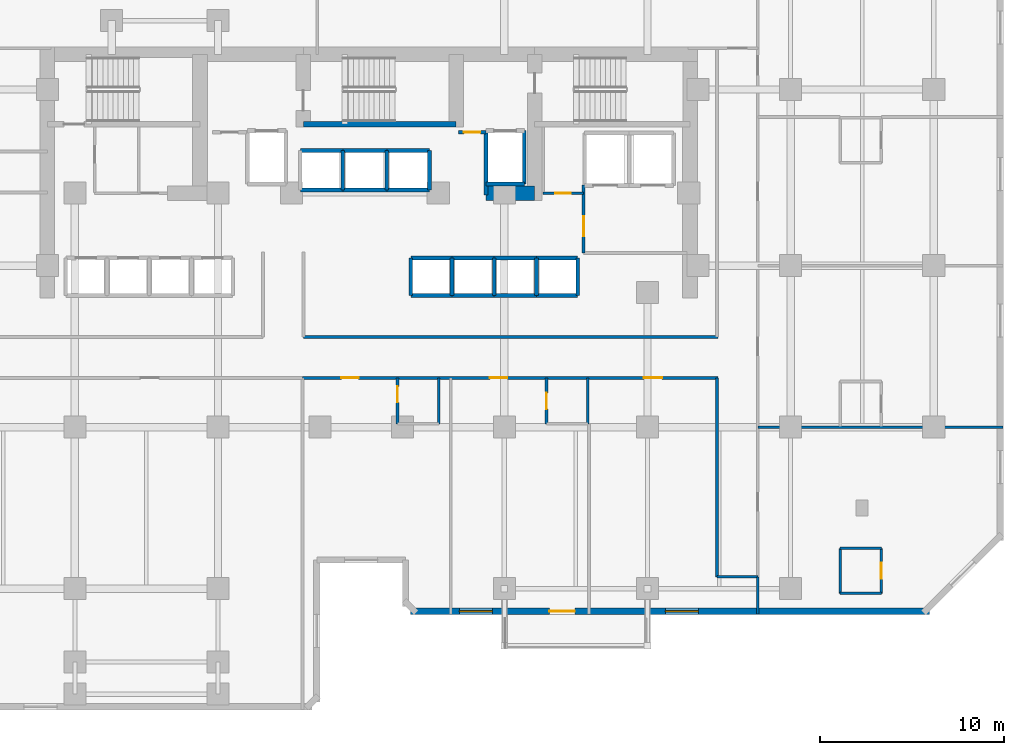
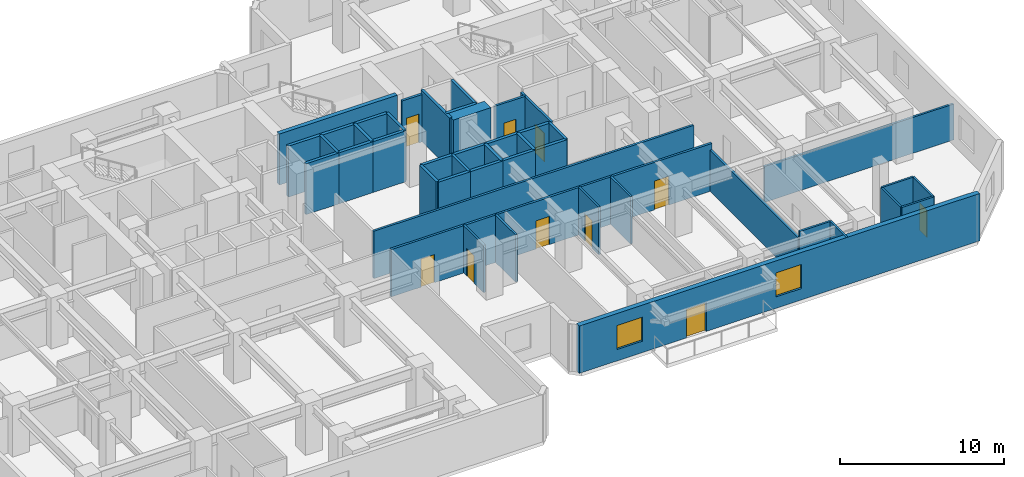
# One storey, part 7 of 11: 45 walls, 10 doors, 2 windows, 12 openings.
"""IFC4 building model written with IfcOpenShell, lengths in metres."""

from ifc_helpers import new_model, si_unit, direction, frame, frame_2d, origin, place, context, subcontext, project, spatial, rectangle, extrude, material, layer, layer_set, type_object, element, fill, save


model = new_model("IFC4")

# Units and contexts
model_context = context("Model", 3, precision=1e-05, world=origin(), true_north=direction((0.0, 1.0)))
body_context = subcontext(model_context, "Body", "Model", "MODEL_VIEW")
ifc_project = project(units=[si_unit("LENGTHUNIT", "METRE"), si_unit("AREAUNIT", "SQUARE_METRE"), si_unit("VOLUMEUNIT", "CUBIC_METRE"), si_unit("PLANEANGLEUNIT", "RADIAN"), si_unit("MASSUNIT", "GRAM", prefix="KILO")], contexts=[model_context])

# Site, building, storey
site_placement = place(None, origin())
site = spatial("IfcSite", under=ifc_project, at=site_placement, CompositionType="ELEMENT")
building_placement = place(site_placement, origin())
building = spatial("IfcBuilding", under=site, at=building_placement, Name="Kestravale Grand Hotel", CompositionType="ELEMENT")
storey_placement = place(building_placement, frame((0.0, 0.0, 84.199951171875)))
storey = spatial("IfcBuildingStorey", under=building, at=storey_placement, Name="L20", CompositionType="ELEMENT", Elevation=84.199951171875)

# Wall
ifc_material_1 = material(Name="Concrete f'c 60 MPa", Category="concrete")
ifc_layer_1 = layer(ifc_material_1, 0.800048828125)
ifc_layer_set_1 = layer_set([ifc_layer_1], Name="EW-CORE-800")
wall_type_1 = type_object("IfcWallType", Name="EW-CORE-800", PredefinedType="SHEAR", material=ifc_layer_set_1)
wall_1_placement = place(storey_placement, frame((45.81005859375, 32.75, 0.0), z_axis=(0.0, 0.0, 1.0), x_axis=(1.0, 0.0, 0.0)))
element("IfcWall", 1, at=wall_1_placement, inside=storey, type_object=wall_type_1, Name="L20 core shear wall S2", PredefinedType="SHEAR", context=body_context, shape_type="SweptSolid", body=[
    extrude(rectangle(XDim=2.639892578125, YDim=0.800048828125, at=frame_2d((1.31982421875, 0.0))), origin(), (0.0, 0.0, 1.0), 3.800048828125),
])

# Wall, openings, door, windows
ifc_material_2 = material(Name="Precast concrete f'c 45 MPa", Category="concrete")
ifc_layer_2 = layer(ifc_material_2, 0.340087890625)
ifc_layer_set_2 = layer_set([ifc_layer_2], Name="EW-PREC-340")
wall_type_2 = type_object("IfcWallType", Name="EW-PREC-340", PredefinedType="SOLIDWALL", material=ifc_layer_set_2)
wall_2_placement = place(storey_placement, frame((41.679931640625, 9.969970703125, 0.0), z_axis=(0.0, 0.0, 1.0), x_axis=(1.0, 0.0, 0.0)))
wall_2 = element("IfcWall", 2, at=wall_2_placement, inside=storey, type_object=wall_type_2, Name="L20 fluted precast facade wall 7", PredefinedType="SOLIDWALL", context=body_context, shape_type="SweptSolid", body=[
    extrude(rectangle(XDim=28.2900390625, YDim=0.340087890625, at=frame_2d((14.14501953125, 0.0))), origin(), (0.0, 0.0, 1.0), 3.5400390625),
])
opening_1_placement = place(wall_2_placement, frame((7.570068359375, 0.0, 0.0)))
opening_1 = element("IfcOpeningElement", 3, at=opening_1_placement, cuts=wall_2, Name="Opening D-TERR-1400", PredefinedType="OPENING", context=body_context, shape_type="SweptSolid", body=[
    extrude(rectangle(XDim=1.39990234375, YDim=2.14990234375, at=frame_2d((0.699951171875, 1.074951171875))), frame((0.0, 0.179931640625, 0.0), z_axis=(0.0, -1.0, 0.0), x_axis=(1.0, 0.0, 0.0)), (0.0, 0.0, 1.0), 0.360107421875),
])
opening_2_placement = place(wall_2_placement, frame((2.6650390625, 0.0, 0.85009765625)))
opening_2 = element("IfcOpeningElement", 4, at=opening_2_placement, cuts=wall_2, Name="Opening W-GUEST-1800", PredefinedType="OPENING", context=body_context, shape_type="SweptSolid", body=[
    extrude(rectangle(XDim=1.800048828125, YDim=1.800048828125, at=frame_2d((0.89990234375, 0.89990234375))), frame((0.0, 0.179931640625, 0.0), z_axis=(0.0, -1.0, 0.0), x_axis=(1.0, 0.0, 0.0)), (0.0, 0.0, 1.0), 0.360107421875),
])
opening_3_placement = place(wall_2_placement, frame((13.89501953125, 0.0, 0.85009765625)))
opening_3 = element("IfcOpeningElement", 5, at=opening_3_placement, cuts=wall_2, Name="Opening W-GUEST-1800", PredefinedType="OPENING", context=body_context, shape_type="SweptSolid", body=[
    extrude(rectangle(XDim=1.800048828125, YDim=1.800048828125, at=frame_2d((0.89990234375, 0.89990234375))), frame((0.0, 0.179931640625, 0.0), z_axis=(0.0, -1.0, 0.0), x_axis=(1.0, 0.0, 0.0)), (0.0, 0.0, 1.0), 0.360107421875),
])
ifc_material_3 = material(Name="Insulated glazed champagne-bronze aluminium door", Category="aluminium")
door_type_1 = type_object("IfcDoorType", Name="D-TERR-1400", OperationType="NOTDEFINED", PredefinedType="DOOR", material=ifc_material_3)
door_1_placement = place(opening_1_placement, origin())
door_1 = element("IfcDoor", 6, at=door_1_placement, inside=storey, type_object=door_type_1, Name="L20 outdoor garden terrace door", OperationType="DOUBLE_DOOR_SINGLE_SWING", OverallHeight=2.14990234375, OverallWidth=1.39990234375, PredefinedType="DOOR", context=body_context, shape_type="SweptSolid", body=[
    extrude(rectangle(XDim=1.39990234375, YDim=2.14990234375, at=frame_2d((0.699951171875, 1.074951171875))), frame((0.0, 0.02490234375, 0.0), z_axis=(0.0, -1.0, 0.0), x_axis=(1.0, 0.0, 0.0)), (0.0, 0.0, 1.0), 0.050048828125),
])
fill(opening_1, door_1)
ifc_material_4 = material(Name="Insulated low-E double glazing in aluminium frame", Category="aluminium")
window_type = type_object("IfcWindowType", Name="W-GUEST-1800", PartitioningType="DOUBLE_PANEL_VERTICAL", PredefinedType="WINDOW", material=ifc_material_4)
window_1_placement = place(opening_2_placement, origin())
window_1 = element("IfcWindow", 7, at=window_1_placement, inside=storey, type_object=window_type, Name="L20 exterior window 7.1", OverallHeight=1.800048828125, OverallWidth=1.800048828125, PartitioningType="SINGLE_PANEL", PredefinedType="WINDOW", context=body_context, shape_type="SweptSolid", body=[
    extrude(rectangle(XDim=1.800048828125, YDim=1.800048828125, at=frame_2d((0.89990234375, 0.89990234375))), frame((0.0, 0.030029296875, 0.0), z_axis=(0.0, -1.0, 0.0), x_axis=(1.0, 0.0, 0.0)), (0.0, 0.0, 1.0), 0.06005859375),
])
fill(opening_2, window_1)
window_2_placement = place(opening_3_placement, origin())
window_2 = element("IfcWindow", 8, at=window_2_placement, inside=storey, type_object=window_type, Name="L20 exterior window 7.2", OverallHeight=1.800048828125, OverallWidth=1.800048828125, PartitioningType="SINGLE_PANEL", PredefinedType="WINDOW", context=body_context, shape_type="SweptSolid", body=[
    extrude(rectangle(XDim=1.800048828125, YDim=1.800048828125, at=frame_2d((0.89990234375, 0.89990234375))), frame((0.0, 0.030029296875, 0.0), z_axis=(0.0, -1.0, 0.0), x_axis=(1.0, 0.0, 0.0)), (0.0, 0.0, 1.0), 0.06005859375),
])
fill(opening_3, window_2)

# Wall
ifc_material_5 = material(Name="Concrete f'c 45 MPa", Category="concrete")
ifc_layer_3 = layer(ifc_material_5, 0.300048828125)
ifc_layer_set_3 = layer_set([ifc_layer_3], Name="EW-STAIR-300")
wall_type_3 = type_object("IfcWallType", Name="EW-STAIR-300", PredefinedType="SHEAR", material=ifc_layer_set_3)
wall_3_placement = place(storey_placement, frame((35.85009765625, 36.52001953125, 0.0), z_axis=(0.0, 0.0, 1.0), x_axis=(1.0, 0.0, 0.0)))
element("IfcWall", 9, at=wall_3_placement, inside=storey, type_object=wall_type_3, Name="L20 stair enclosure shear wall SST2", PredefinedType="SHEAR", context=body_context, shape_type="SweptSolid", body=[
    extrude(rectangle(XDim=8.329833984375, YDim=0.300048828125, at=frame_2d((4.1650390625, 0.0))), origin(), (0.0, 0.0, 1.0), 3.800048828125),
])

# Wall, opening, door
ifc_material_6 = material(Name="Acoustic fire-rated gypsum board partition", Category="other")
ifc_layer_4 = layer(ifc_material_6, 0.159912109375)
ifc_layer_set_4 = layer_set([ifc_layer_4], Name="IW-CORR-160")
wall_type_4 = type_object("IfcWallType", Name="IW-CORR-160", PredefinedType="PARTITIONING", material=ifc_layer_set_4)
wall_4_placement = place(storey_placement, frame((51.1201171875, 29.5, 0.0), z_axis=(0.0, 0.0, 1.0), x_axis=(0.0, 1.0, 0.0)))
wall_4 = element("IfcWall", 10, at=wall_4_placement, inside=storey, type_object=wall_type_4, Name="W-L20-SVCLOB-W", PredefinedType="PARTITIONING", context=body_context, shape_type="SweptSolid", body=[
    extrude(rectangle(XDim=3.699951171875, YDim=0.159912109375, at=frame_2d((1.85009765625, 0.0))), origin(), (0.0, 0.0, 1.0), 3.5400390625),
])
opening_4_placement = place(wall_4_placement, frame((0.89990234375, 0.0, 0.0)))
opening_4 = element("IfcOpeningElement", 11, at=opening_4_placement, cuts=wall_4, Name="Opening D-CORR-1100", PredefinedType="OPENING", context=body_context, shape_type="SweptSolid", body=[
    extrude(rectangle(XDim=1.10009765625, YDim=2.14990234375, at=frame_2d((0.550048828125, 1.074951171875))), frame((0.0, 0.08984375, 0.0), z_axis=(0.0, -1.0, 0.0), x_axis=(1.0, 0.0, 0.0)), (0.0, 0.0, 1.0), 0.179931640625),
])
ifc_material_7 = material(Name="Single-leaf service vestibule fire door", Category="steel")
door_type_2 = type_object("IfcDoorType", Name="D-CORR-1100", OperationType="NOTDEFINED", PredefinedType="DOOR", material=ifc_material_7)
door_2_placement = place(opening_4_placement, origin())
door_2 = element("IfcDoor", 12, at=door_2_placement, inside=storey, type_object=door_type_2, Name="L20 service lift lobby door", OperationType="SINGLE_SWING_LEFT", OverallHeight=2.14990234375, OverallWidth=1.10009765625, PredefinedType="DOOR", context=body_context, shape_type="SweptSolid", body=[
    extrude(rectangle(XDim=1.10009765625, YDim=2.14990234375, at=frame_2d((0.550048828125, 1.074951171875))), frame((0.0, 0.02490234375, 0.0), z_axis=(0.0, -1.0, 0.0), x_axis=(1.0, 0.0, 0.0)), (0.0, 0.0, 1.0), 0.050048828125),
])
fill(opening_4, door_2)

wall_5_placement = place(storey_placement, frame((48.919921875, 32.75, 0.0), z_axis=(0.0, 0.0, 1.0), x_axis=(1.0, 0.0, 0.0)))
wall_5 = element("IfcWall", 13, at=wall_5_placement, inside=storey, type_object=wall_type_4, Name="W-L20-CES", PredefinedType="PARTITIONING", context=body_context, shape_type="SweptSolid", body=[
    extrude(rectangle(XDim=2.2001953125, YDim=0.159912109375, at=frame_2d((1.10009765625, 0.0))), origin(), (0.0, 0.0, 1.0), 3.5400390625),
])
opening_5_placement = place(wall_5_placement, frame((0.64990234375, 0.0, 0.0)))
opening_5 = element("IfcOpeningElement", 14, at=opening_5_placement, cuts=wall_5, Name="Opening D-SH-860", PredefinedType="OPENING", context=body_context, shape_type="SweptSolid", body=[
    extrude(rectangle(XDim=0.860107421875, YDim=2.050048828125, at=frame_2d((0.43017578125, 1.02490234375))), frame((0.0, 0.08984375, 0.0), z_axis=(0.0, -1.0, 0.0), x_axis=(1.0, 0.0, 0.0)), (0.0, 0.0, 1.0), 0.179931640625),
])
ifc_material_8 = material(Name="Galvanised 90-minute riser fire door", Category="steel")
door_type_3 = type_object("IfcDoorType", Name="D-SH-860", OperationType="NOTDEFINED", PredefinedType="DOOR", material=ifc_material_8)
door_3_placement = place(opening_5_placement, origin())
door_3 = element("IfcDoor", 15, at=door_3_placement, inside=storey, type_object=door_type_3, Name="L20 CSTO1 door", OperationType="SINGLE_SWING_RIGHT", OverallHeight=2.050048828125, OverallWidth=0.860107421875, PredefinedType="DOOR", context=body_context, shape_type="SweptSolid", body=[
    extrude(rectangle(XDim=0.860107421875, YDim=2.050048828125, at=frame_2d((0.43017578125, 1.02490234375))), frame((0.0, 0.02490234375, 0.0), z_axis=(0.0, -1.0, 0.0), x_axis=(1.0, 0.0, 0.0)), (0.0, 0.0, 1.0), 0.050048828125),
])
fill(opening_5, door_3)

# Wall
wall_6_placement = place(storey_placement, frame((35.85009765625, 24.909912109375, 0.0), z_axis=(0.0, 0.0, 1.0), x_axis=(1.0, 0.0, 0.0)))
element("IfcWall", 16, at=wall_6_placement, inside=storey, type_object=wall_type_4, Name="W-L20-CE-N", PredefinedType="PARTITIONING", context=body_context, shape_type="SweptSolid", body=[
    extrude(rectangle(XDim=22.599853515625, YDim=0.159912109375, at=frame_2d((11.2998046875, 0.0))), origin(), (0.0, 0.0, 1.0), 3.5400390625),
])

# Wall, openings, doors
wall_7_placement = place(storey_placement, frame((35.800048828125, 22.68994140625, 0.0), z_axis=(0.0, 0.0, 1.0), x_axis=(1.0, 0.0, 0.0)))
wall_7 = element("IfcWall", 17, at=wall_7_placement, inside=storey, type_object=wall_type_4, Name="W-L20-CE-S", PredefinedType="PARTITIONING", context=body_context, shape_type="SweptSolid", body=[
    extrude(rectangle(XDim=22.64990234375, YDim=0.159912109375, at=frame_2d((11.324951171875, 0.0))), origin(), (0.0, 0.0, 1.0), 3.5400390625),
])
opening_6_placement = place(wall_7_placement, frame((2.114990234375, 0.0, 0.0)))
opening_6 = element("IfcOpeningElement", 18, at=opening_6_placement, cuts=wall_7, Name="Opening D-GUEST-950", PredefinedType="OPENING", context=body_context, shape_type="SweptSolid", body=[
    extrude(rectangle(XDim=0.949951171875, YDim=2.10009765625, at=frame_2d((0.47509765625, 1.050048828125))), frame((0.0, 0.08984375, 0.0), z_axis=(0.0, -1.0, 0.0), x_axis=(1.0, 0.0, 0.0)), (0.0, 0.0, 1.0), 0.179931640625),
])
opening_7_placement = place(wall_7_placement, frame((10.215087890625, 0.0, 0.0)))
opening_7 = element("IfcOpeningElement", 19, at=opening_7_placement, cuts=wall_7, Name="Opening D-GUEST-950", PredefinedType="OPENING", context=body_context, shape_type="SweptSolid", body=[
    extrude(rectangle(XDim=0.949951171875, YDim=2.10009765625, at=frame_2d((0.47509765625, 1.050048828125))), frame((0.0, 0.08984375, 0.0), z_axis=(0.0, -1.0, 0.0), x_axis=(1.0, 0.0, 0.0)), (0.0, 0.0, 1.0), 0.179931640625),
])
opening_8_placement = place(wall_7_placement, frame((18.60009765625, 0.0, 0.0)))
opening_8 = element("IfcOpeningElement", 20, at=opening_8_placement, cuts=wall_7, Name="Opening D-GUEST-1000", PredefinedType="OPENING", context=body_context, shape_type="SweptSolid", body=[
    extrude(rectangle(XDim=1.0, YDim=2.14990234375, at=frame_2d((0.5, 1.074951171875))), frame((0.0, 0.08984375, 0.0), z_axis=(0.0, -1.0, 0.0), x_axis=(1.0, 0.0, 0.0)), (0.0, 0.0, 1.0), 0.179931640625),
])
ifc_material_9 = material(Name="Accessible walnut veneer hotel entrance fire door", Category="wood")
door_type_4 = type_object("IfcDoorType", Name="D-GUEST-1000", OperationType="NOTDEFINED", PredefinedType="DOOR", material=ifc_material_9)
door_4_placement = place(opening_8_placement, origin())
door_4 = element("IfcDoor", 21, at=door_4_placement, inside=storey, type_object=door_type_4, Name="D-L20-AME", OperationType="SINGLE_SWING_RIGHT", OverallHeight=2.14990234375, OverallWidth=1.0, PredefinedType="DOOR", context=body_context, shape_type="SweptSolid", body=[
    extrude(rectangle(XDim=1.0, YDim=2.14990234375, at=frame_2d((0.5, 1.074951171875))), frame((0.0, 0.02490234375, 0.0), z_axis=(0.0, -1.0, 0.0), x_axis=(1.0, 0.0, 0.0)), (0.0, 0.0, 1.0), 0.050048828125),
])
fill(opening_8, door_4)
ifc_material_10 = material(Name="Walnut veneer hotel guestroom entrance fire door", Category="wood")
door_type_5 = type_object("IfcDoorType", Name="D-GUEST-950", OperationType="NOTDEFINED", PredefinedType="DOOR", material=ifc_material_10)
door_5_placement = place(opening_6_placement, origin())
door_5 = element("IfcDoor", 22, at=door_5_placement, inside=storey, type_object=door_type_5, Name="D-L20-U01-ENT", OperationType="SINGLE_SWING_LEFT", OverallHeight=2.10009765625, OverallWidth=0.949951171875, PredefinedType="DOOR", context=body_context, shape_type="SweptSolid", body=[
    extrude(rectangle(XDim=0.949951171875, YDim=2.10009765625, at=frame_2d((0.47509765625, 1.050048828125))), frame((0.0, 0.02490234375, 0.0), z_axis=(0.0, -1.0, 0.0), x_axis=(1.0, 0.0, 0.0)), (0.0, 0.0, 1.0), 0.050048828125),
])
fill(opening_6, door_5)
door_6_placement = place(opening_7_placement, origin())
door_6 = element("IfcDoor", 23, at=door_6_placement, inside=storey, type_object=door_type_5, Name="D-L20-U02-ENT", OperationType="SINGLE_SWING_LEFT", OverallHeight=2.10009765625, OverallWidth=0.949951171875, PredefinedType="DOOR", context=body_context, shape_type="SweptSolid", body=[
    extrude(rectangle(XDim=0.949951171875, YDim=2.10009765625, at=frame_2d((0.47509765625, 1.050048828125))), frame((0.0, 0.02490234375, 0.0), z_axis=(0.0, -1.0, 0.0), x_axis=(1.0, 0.0, 0.0)), (0.0, 0.0, 1.0), 0.050048828125),
])
fill(opening_7, door_6)

# Wall
wall_8_placement = place(storey_placement, frame((58.389892578125, 11.85009765625, 0.0), z_axis=(0.0, 0.0, 1.0), x_axis=(0.0, 1.0, 0.0)))
element("IfcWall", 24, at=wall_8_placement, inside=storey, type_object=wall_type_4, Name="W-L20-SE-W", PredefinedType="PARTITIONING", context=body_context, shape_type="SweptSolid", body=[
    extrude(rectangle(XDim=10.83984375, YDim=0.159912109375, at=frame_2d((5.419921875, 0.0))), origin(), (0.0, 0.0, 1.0), 3.0830078125),
])

# Wall, opening, door
ifc_material_11 = material(Name="Fire-rated gypsum board on steel studs with mineral wool", Category="steel")
ifc_layer_5 = layer(ifc_material_11, 0.179931640625)
ifc_layer_set_5 = layer_set([ifc_layer_5], Name="IW-FSAE-180")
wall_type_5 = type_object("IfcWallType", Name="IW-FSAE-180", PredefinedType="PARTITIONING", material=ifc_layer_set_5)
wall_9_placement = place(storey_placement, frame((44.300048828125, 36.080078125, 0.0), z_axis=(0.0, 0.0, 1.0), x_axis=(1.0, 0.0, 0.0)))
wall_9 = element("IfcWall", 25, at=wall_9_placement, inside=storey, type_object=wall_type_5, Name="L20 FSAE Lobby 2 smoke barrier", PredefinedType="PARTITIONING", context=body_context, shape_type="SweptSolid", body=[
    extrude(rectangle(XDim=1.5, YDim=0.179931640625, at=frame_2d((0.75, 0.0))), origin(), (0.0, 0.0, 1.0), 3.5400390625),
])
opening_9_placement = place(wall_9_placement, frame((0.300048828125, 0.0, 0.0)))
opening_9 = element("IfcOpeningElement", 26, at=opening_9_placement, cuts=wall_9, Name="Opening D-FSAE-1000", PredefinedType="OPENING", context=body_context, shape_type="SweptSolid", body=[
    extrude(rectangle(XDim=0.89990234375, YDim=2.14990234375, at=frame_2d((0.449951171875, 1.074951171875))), frame((0.0, 0.099853515625, 0.0), z_axis=(0.0, -1.0, 0.0), x_axis=(1.0, 0.0, 0.0)), (0.0, 0.0, 1.0), 0.199951171875),
])
ifc_material_12 = material(Name="Smoke-gasketed FSAE lobby fire door", Category="steel")
door_type_6 = type_object("IfcDoorType", Name="D-FSAE-1000", OperationType="NOTDEFINED", PredefinedType="DOOR", material=ifc_material_12)
door_7_placement = place(opening_9_placement, origin())
door_7 = element("IfcDoor", 27, at=door_7_placement, inside=storey, type_object=door_type_6, Name="L20 FSAE Lobby 2 fire door", OperationType="SINGLE_SWING_LEFT", OverallHeight=2.14990234375, OverallWidth=0.89990234375, PredefinedType="DOOR", context=body_context, shape_type="SweptSolid", body=[
    extrude(rectangle(XDim=0.89990234375, YDim=2.14990234375, at=frame_2d((0.449951171875, 1.074951171875))), frame((0.0, 0.02490234375, 0.0), z_axis=(0.0, -1.0, 0.0), x_axis=(1.0, 0.0, 0.0)), (0.0, 0.0, 1.0), 0.050048828125),
])
fill(opening_9, door_7)

ifc_material_13 = material(Name="Moisture-resistant tile-backer plumbing chase wall", Category="other")
ifc_layer_6 = layer(ifc_material_13, 0.139892578125)
ifc_layer_set_6 = layer_set([ifc_layer_6], Name="IW-PLB-140")
wall_type_6 = type_object("IfcWallType", Name="IW-PLB-140", PredefinedType="PLUMBINGWALL", material=ifc_layer_set_6)
wall_10_placement = place(storey_placement, frame((40.97998046875, 20.179931640625, 0.0), z_axis=(0.0, 0.0, 1.0), x_axis=(0.0, 1.0, 0.0)))
wall_10 = element("IfcWall", 28, at=wall_10_placement, inside=storey, type_object=wall_type_6, Name="W-L20-U01-BW", PredefinedType="PLUMBINGWALL", context=body_context, shape_type="SweptSolid", body=[
    extrude(rectangle(XDim=2.489990234375, YDim=0.139892578125, at=frame_2d((1.2451171875, 0.0))), origin(), (0.0, 0.0, 1.0), 3.5400390625),
])
opening_10_placement = place(wall_10_placement, frame((1.169921875, 0.0, 0.0)))
opening_10 = element("IfcOpeningElement", 29, at=opening_10_placement, cuts=wall_10, Name="Opening D-BATH-880", PredefinedType="OPENING", context=body_context, shape_type="SweptSolid", body=[
    extrude(rectangle(XDim=0.8798828125, YDim=2.050048828125, at=frame_2d((0.43994140625, 1.02490234375))), frame((0.0, 0.079833984375, 0.0), z_axis=(0.0, -1.0, 0.0), x_axis=(1.0, 0.0, 0.0)), (0.0, 0.0, 1.0), 0.159912109375),
])
ifc_material_14 = material(Name="Moisture-sealed walnut en-suite bathroom door", Category="wood")
door_type_7 = type_object("IfcDoorType", Name="D-BATH-880", OperationType="NOTDEFINED", PredefinedType="DOOR", material=ifc_material_14)
door_8_placement = place(opening_10_placement, origin())
door_8 = element("IfcDoor", 30, at=door_8_placement, inside=storey, type_object=door_type_7, Name="D-L20-U01-BATH", OperationType="SINGLE_SWING_RIGHT", OverallHeight=2.050048828125, OverallWidth=0.8798828125, PredefinedType="DOOR", context=body_context, shape_type="SweptSolid", body=[
    extrude(rectangle(XDim=0.8798828125, YDim=2.050048828125, at=frame_2d((0.43994140625, 1.02490234375))), frame((0.0, 0.02490234375, 0.0), z_axis=(0.0, -1.0, 0.0), x_axis=(1.0, 0.0, 0.0)), (0.0, 0.0, 1.0), 0.050048828125),
])
fill(opening_10, door_8)

# Wall
wall_11_placement = place(storey_placement, frame((43.22998046875, 20.179931640625, 0.0), z_axis=(0.0, 0.0, 1.0), x_axis=(0.0, 1.0, 0.0)))
element("IfcWall", 31, at=wall_11_placement, inside=storey, type_object=wall_type_6, Name="W-L20-U01-BE", PredefinedType="PLUMBINGWALL", context=body_context, shape_type="SweptSolid", body=[
    extrude(rectangle(XDim=2.489990234375, YDim=0.139892578125, at=frame_2d((1.2451171875, 0.0))), origin(), (0.0, 0.0, 1.0), 3.5400390625),
])

# Wall, opening, door
wall_12_placement = place(storey_placement, frame((49.10009765625, 20.179931640625, 0.0), z_axis=(0.0, 0.0, 1.0), x_axis=(0.0, 1.0, 0.0)))
wall_12 = element("IfcWall", 32, at=wall_12_placement, inside=storey, type_object=wall_type_6, Name="W-L20-U02-BW", PredefinedType="PLUMBINGWALL", context=body_context, shape_type="SweptSolid", body=[
    extrude(rectangle(XDim=2.489990234375, YDim=0.139892578125, at=frame_2d((1.2451171875, 0.0))), origin(), (0.0, 0.0, 1.0), 3.5400390625),
])
opening_11_placement = place(wall_12_placement, frame((0.804931640625, 0.0, 0.0)))
opening_11 = element("IfcOpeningElement", 33, at=opening_11_placement, cuts=wall_12, Name="Opening D-BATH-880", PredefinedType="OPENING", context=body_context, shape_type="SweptSolid", body=[
    extrude(rectangle(XDim=0.8798828125, YDim=2.050048828125, at=frame_2d((0.43994140625, 1.02490234375))), frame((0.0, 0.079833984375, 0.0), z_axis=(0.0, -1.0, 0.0), x_axis=(1.0, 0.0, 0.0)), (0.0, 0.0, 1.0), 0.159912109375),
])
door_9_placement = place(opening_11_placement, origin())
door_9 = element("IfcDoor", 34, at=door_9_placement, inside=storey, type_object=door_type_7, Name="D-L20-U02-BATH", OperationType="SINGLE_SWING_RIGHT", OverallHeight=2.050048828125, OverallWidth=0.8798828125, PredefinedType="DOOR", context=body_context, shape_type="SweptSolid", body=[
    extrude(rectangle(XDim=0.8798828125, YDim=2.050048828125, at=frame_2d((0.43994140625, 1.02490234375))), frame((0.0, 0.02490234375, 0.0), z_axis=(0.0, -1.0, 0.0), x_axis=(1.0, 0.0, 0.0)), (0.0, 0.0, 1.0), 0.050048828125),
])
fill(opening_11, door_9)

# Walls
wall_13_placement = place(storey_placement, frame((51.35009765625, 20.179931640625, 0.0), z_axis=(0.0, 0.0, 1.0), x_axis=(0.0, 1.0, 0.0)))
element("IfcWall", 35, at=wall_13_placement, inside=storey, type_object=wall_type_6, Name="W-L20-U02-BE", PredefinedType="PLUMBINGWALL", context=body_context, shape_type="SweptSolid", body=[
    extrude(rectangle(XDim=2.489990234375, YDim=0.139892578125, at=frame_2d((1.2451171875, 0.0))), origin(), (0.0, 0.0, 1.0), 3.5400390625),
])
wall_14_placement = place(storey_placement, frame((65.10009765625, 10.949951171875, 0.0), z_axis=(0.0, 0.0, 1.0), x_axis=(0.0, 1.0, 0.0)))
element("IfcWall", 36, at=wall_14_placement, inside=storey, type_object=wall_type_6, Name="W-L20-U07-BW", PredefinedType="PLUMBINGWALL", context=body_context, shape_type="SweptSolid", body=[
    extrude(rectangle(XDim=2.449951171875, YDim=0.139892578125, at=frame_2d((1.22509765625, 0.0))), origin(), (0.0, 0.0, 1.0), 3.5400390625),
])

# Wall, opening, door
wall_15_placement = place(storey_placement, frame((67.35009765625, 10.949951171875, 0.0), z_axis=(0.0, 0.0, 1.0), x_axis=(0.0, 1.0, 0.0)))
wall_15 = element("IfcWall", 37, at=wall_15_placement, inside=storey, type_object=wall_type_6, Name="W-L20-U07-BE", PredefinedType="PLUMBINGWALL", context=body_context, shape_type="SweptSolid", body=[
    extrude(rectangle(XDim=2.449951171875, YDim=0.139892578125, at=frame_2d((1.22509765625, 0.0))), origin(), (0.0, 0.0, 1.0), 3.5400390625),
])
opening_12_placement = place(wall_15_placement, frame((0.784912109375, 0.0, 0.0)))
opening_12 = element("IfcOpeningElement", 38, at=opening_12_placement, cuts=wall_15, Name="Opening D-BATH-880", PredefinedType="OPENING", context=body_context, shape_type="SweptSolid", body=[
    extrude(rectangle(XDim=0.8798828125, YDim=2.050048828125, at=frame_2d((0.43994140625, 1.02490234375))), frame((0.0, 0.079833984375, 0.0), z_axis=(0.0, -1.0, 0.0), x_axis=(1.0, 0.0, 0.0)), (0.0, 0.0, 1.0), 0.159912109375),
])
door_10_placement = place(opening_12_placement, origin())
door_10 = element("IfcDoor", 39, at=door_10_placement, inside=storey, type_object=door_type_7, Name="D-L20-U07-BATH", OperationType="SINGLE_SWING_RIGHT", OverallHeight=2.050048828125, OverallWidth=0.8798828125, PredefinedType="DOOR", context=body_context, shape_type="SweptSolid", body=[
    extrude(rectangle(XDim=0.8798828125, YDim=2.050048828125, at=frame_2d((0.43994140625, 1.02490234375))), frame((0.0, 0.02490234375, 0.0), z_axis=(0.0, -1.0, 0.0), x_axis=(1.0, 0.0, 0.0)), (0.0, 0.0, 1.0), 0.050048828125),
])
fill(opening_12, door_10)

# Walls
for number, where, z_axis, x_axis, name in (
    (40, (65.10009765625, 10.949951171875, 0.0), (0.0, 0.0, 1.0), (1.0, 0.0, 0.0), "W-L20-U07-BS"),
    (41, (65.10009765625, 13.39990234375, 0.0), (0.0, 0.0, 1.0), (1.0, 0.0, 0.0), "W-L20-U07-BN"),
):
    element("IfcWall", number, at=place(storey_placement, frame(where, z_axis=z_axis, x_axis=x_axis)), inside=storey, type_object=wall_type_6, Name=name, PredefinedType="PLUMBINGWALL", context=body_context, shape_type="SweptSolid", body=[
        extrude(rectangle(XDim=2.25, YDim=0.139892578125, at=frame_2d((1.125, 0.0))), origin(), (0.0, 0.0, 1.0), 3.5400390625),
    ])
ifc_material_15 = material(Name="Concrete f'c 45 MPa", Category="concrete")
ifc_layer_7 = layer(ifc_material_15, 0.199951171875)
ifc_layer_set_7 = layer_set([ifc_layer_7], Name="IW-SHAFT-200")
wall_type_7 = type_object("IfcWallType", Name="IW-SHAFT-200", PredefinedType="SHEAR", material=ifc_layer_set_7)
for number, where, z_axis, x_axis, name in (
    (42, (41.705078125, 27.169921875, 0.0), (0.0, 0.0, 1.0), (0.0, 1.0, 0.0), "L20 PL-M1 west shaft wall"),
    (43, (43.949951171875, 27.169921875, 0.0), (0.0, 0.0, 1.0), (0.0, 1.0, 0.0), "L20 PL-M2 west shaft wall"),
    (44, (46.25, 27.169921875, 0.0), (0.0, 0.0, 1.0), (0.0, 1.0, 0.0), "L20 PL-M3 west shaft wall"),
    (45, (48.550048828125, 27.169921875, 0.0), (0.0, 0.0, 1.0), (0.0, 1.0, 0.0), "L20 PL-M4 west shaft wall"),
    (46, (50.794921875, 27.169921875, 0.0), (0.0, 0.0, 1.0), (0.0, 1.0, 0.0), "L20 PL-M4 east shaft wall"),
):
    element("IfcWall", number, at=place(storey_placement, frame(where, z_axis=z_axis, x_axis=x_axis)), inside=storey, type_object=wall_type_7, Name=name, PredefinedType="SHEAR", context=body_context, shape_type="SweptSolid", body=[
        extrude(rectangle(XDim=2.06005859375, YDim=0.199951171875, at=frame_2d((1.030029296875, 0.0))), origin(), (0.0, 0.0, 1.0), 3.800048828125),
    ])
for number, where, z_axis, x_axis, name in (
    (47, (38.0, 32.919921875, 0.0), (0.0, 0.0, 1.0), (0.0, 1.0, 0.0), "L20 PL-X2 west shaft wall"),
    (48, (40.39990234375, 32.919921875, 0.0), (0.0, 0.0, 1.0), (0.0, 1.0, 0.0), "L20 PL-X3 west shaft wall"),
    (49, (42.719970703125, 32.919921875, 0.0), (0.0, 0.0, 1.0), (0.0, 1.0, 0.0), "L20 PL-X3 east shaft wall"),
):
    element("IfcWall", number, at=place(storey_placement, frame(where, z_axis=z_axis, x_axis=x_axis)), inside=storey, type_object=wall_type_7, Name=name, PredefinedType="SHEAR", context=body_context, shape_type="SweptSolid", body=[
        extrude(rectangle(XDim=2.16015625, YDim=0.199951171875, at=frame_2d((1.080078125, 0.0))), origin(), (0.0, 0.0, 1.0), 3.800048828125),
    ])
wall_16_placement = place(storey_placement, frame((45.804931640625, 32.64990234375, 0.0), z_axis=(0.0, 0.0, 1.0), x_axis=(0.0, 1.0, 0.0)))
element("IfcWall", 50, at=wall_16_placement, inside=storey, type_object=wall_type_7, Name="L20 FL-2 west shaft wall", PredefinedType="SHEAR", context=body_context, shape_type="SweptSolid", body=[
    extrude(rectangle(XDim=3.505126953125, YDim=0.199951171875, at=frame_2d((1.75244140625, 0.0))), origin(), (0.0, 0.0, 1.0), 3.800048828125),
])
wall_17_placement = place(storey_placement, frame((47.89501953125, 33.2451171875, 0.0), z_axis=(0.0, 0.0, 1.0), x_axis=(0.0, 1.0, 0.0)))
element("IfcWall", 51, at=wall_17_placement, inside=storey, type_object=wall_type_7, Name="L20 FL-2 east shaft wall", PredefinedType="SHEAR", context=body_context, shape_type="SweptSolid", body=[
    extrude(rectangle(XDim=2.909912109375, YDim=0.199951171875, at=frame_2d((1.455078125, 0.0))), origin(), (0.0, 0.0, 1.0), 3.800048828125),
])
ifc_material_16 = material(Name="Concrete f'c 45 MPa", Category="concrete")
ifc_layer_8 = layer(ifc_material_16, 0.219970703125)
ifc_layer_set_8 = layer_set([ifc_layer_8], Name="IW-SHAFT-220")
wall_type_8 = type_object("IfcWallType", Name="IW-SHAFT-220", PredefinedType="SHEAR", material=ifc_layer_set_8)
for number, where, z_axis, x_axis, name in (
    (52, (41.705078125, 29.22998046875, 0.0), (0.0, 0.0, 1.0), (1.0, 0.0, 0.0), "L20 PL-M1 north shaft wall"),
    (53, (41.705078125, 27.169921875, 0.0), (0.0, 0.0, 1.0), (1.0, 0.0, 0.0), "L20 PL-M1 south shaft wall"),
):
    element("IfcWall", number, at=place(storey_placement, frame(where, z_axis=z_axis, x_axis=x_axis)), inside=storey, type_object=wall_type_8, Name=name, PredefinedType="SHEAR", context=body_context, shape_type="SweptSolid", body=[
        extrude(rectangle(XDim=2.244873046875, YDim=0.219970703125, at=frame_2d((1.12255859375, 0.0))), origin(), (0.0, 0.0, 1.0), 3.800048828125),
    ])
for number, where, z_axis, x_axis, name in (
    (54, (43.949951171875, 29.22998046875, 0.0), (0.0, 0.0, 1.0), (1.0, 0.0, 0.0), "L20 PL-M2 north shaft wall"),
    (55, (43.949951171875, 27.169921875, 0.0), (0.0, 0.0, 1.0), (1.0, 0.0, 0.0), "L20 PL-M2 south shaft wall"),
    (56, (46.25, 29.22998046875, 0.0), (0.0, 0.0, 1.0), (1.0, 0.0, 0.0), "L20 PL-M3 north shaft wall"),
    (57, (46.25, 27.169921875, 0.0), (0.0, 0.0, 1.0), (1.0, 0.0, 0.0), "L20 PL-M3 south shaft wall"),
):
    element("IfcWall", number, at=place(storey_placement, frame(where, z_axis=z_axis, x_axis=x_axis)), inside=storey, type_object=wall_type_8, Name=name, PredefinedType="SHEAR", context=body_context, shape_type="SweptSolid", body=[
        extrude(rectangle(XDim=2.300048828125, YDim=0.219970703125, at=frame_2d((1.14990234375, 0.0))), origin(), (0.0, 0.0, 1.0), 3.800048828125),
    ])
for number, where, z_axis, x_axis, name in (
    (58, (48.550048828125, 29.22998046875, 0.0), (0.0, 0.0, 1.0), (1.0, 0.0, 0.0), "L20 PL-M4 north shaft wall"),
    (59, (48.550048828125, 27.169921875, 0.0), (0.0, 0.0, 1.0), (1.0, 0.0, 0.0), "L20 PL-M4 south shaft wall"),
):
    element("IfcWall", number, at=place(storey_placement, frame(where, z_axis=z_axis, x_axis=x_axis)), inside=storey, type_object=wall_type_8, Name=name, PredefinedType="SHEAR", context=body_context, shape_type="SweptSolid", body=[
        extrude(rectangle(XDim=2.244873046875, YDim=0.219970703125, at=frame_2d((1.12255859375, 0.0))), origin(), (0.0, 0.0, 1.0), 3.800048828125),
    ])
for number, where, z_axis, x_axis, name in (
    (60, (35.679931640625, 35.080078125, 0.0), (0.0, 0.0, 1.0), (1.0, 0.0, 0.0), "L20 PL-X1 north shaft wall"),
    (61, (35.679931640625, 32.919921875, 0.0), (0.0, 0.0, 1.0), (1.0, 0.0, 0.0), "L20 PL-X1 south shaft wall"),
):
    element("IfcWall", number, at=place(storey_placement, frame(where, z_axis=z_axis, x_axis=x_axis)), inside=storey, type_object=wall_type_8, Name=name, PredefinedType="SHEAR", context=body_context, shape_type="SweptSolid", body=[
        extrude(rectangle(XDim=2.320068359375, YDim=0.219970703125, at=frame_2d((1.16015625, 0.0))), origin(), (0.0, 0.0, 1.0), 3.800048828125),
    ])
for number, where, z_axis, x_axis, name in (
    (62, (38.0, 35.080078125, 0.0), (0.0, 0.0, 1.0), (1.0, 0.0, 0.0), "L20 PL-X2 north shaft wall"),
    (63, (38.0, 32.919921875, 0.0), (0.0, 0.0, 1.0), (1.0, 0.0, 0.0), "L20 PL-X2 south shaft wall"),
):
    element("IfcWall", number, at=place(storey_placement, frame(where, z_axis=z_axis, x_axis=x_axis)), inside=storey, type_object=wall_type_8, Name=name, PredefinedType="SHEAR", context=body_context, shape_type="SweptSolid", body=[
        extrude(rectangle(XDim=2.39990234375, YDim=0.219970703125, at=frame_2d((1.199951171875, 0.0))), origin(), (0.0, 0.0, 1.0), 3.800048828125),
    ])
for number, where, z_axis, x_axis, name in (
    (64, (40.39990234375, 35.080078125, 0.0), (0.0, 0.0, 1.0), (1.0, 0.0, 0.0), "L20 PL-X3 north shaft wall"),
    (65, (40.39990234375, 32.919921875, 0.0), (0.0, 0.0, 1.0), (1.0, 0.0, 0.0), "L20 PL-X3 south shaft wall"),
):
    element("IfcWall", number, at=place(storey_placement, frame(where, z_axis=z_axis, x_axis=x_axis)), inside=storey, type_object=wall_type_8, Name=name, PredefinedType="SHEAR", context=body_context, shape_type="SweptSolid", body=[
        extrude(rectangle(XDim=2.320068359375, YDim=0.219970703125, at=frame_2d((1.16015625, 0.0))), origin(), (0.0, 0.0, 1.0), 3.800048828125),
    ])
wall_18_placement = place(storey_placement, frame((45.804931640625, 33.2451171875, 0.0), z_axis=(0.0, 0.0, 1.0), x_axis=(1.0, 0.0, 0.0)))
element("IfcWall", 66, at=wall_18_placement, inside=storey, type_object=wall_type_8, Name="L20 FL-2 south shaft wall", PredefinedType="SHEAR", context=body_context, shape_type="SweptSolid", body=[
    extrude(rectangle(XDim=2.090087890625, YDim=0.219970703125, at=frame_2d((1.044921875, 0.0))), origin(), (0.0, 0.0, 1.0), 3.800048828125),
])
ifc_material_17 = material(Name="Double-stud STC 52 acoustic demising partition", Category="other")
ifc_layer_9 = layer(ifc_material_17, 0.14990234375)
ifc_layer_set_9 = layer_set([ifc_layer_9], Name="IW-UNIT-150")
wall_type_9 = type_object("IfcWallType", Name="IW-UNIT-150", PredefinedType="PARTITIONING", material=ifc_layer_set_9)
wall_19_placement = place(storey_placement, frame((58.389892578125, 11.85009765625, 0.0), z_axis=(0.0, 0.0, 1.0), x_axis=(1.0, 0.0, 0.0)))
element("IfcWall", 67, at=wall_19_placement, inside=storey, type_object=wall_type_9, Name="W-L20-SE-S", PredefinedType="PARTITIONING", context=body_context, shape_type="SweptSolid", body=[
    extrude(rectangle(XDim=2.22021484375, YDim=0.14990234375, at=frame_2d((1.110107421875, 0.0))), origin(), (0.0, 0.0, 1.0), 3.5400390625),
])
wall_20_placement = place(storey_placement, frame((60.610107421875, 9.820068359375, 0.0), z_axis=(0.0, 0.0, 1.0), x_axis=(0.0, 1.0, 0.0)))
element("IfcWall", 68, at=wall_20_placement, inside=storey, type_object=wall_type_9, Name="W-L20-SE-EXT", PredefinedType="PARTITIONING", context=body_context, shape_type="SweptSolid", body=[
    extrude(rectangle(XDim=2.030029296875, YDim=0.14990234375, at=frame_2d((1.01513671875, 0.0))), origin(), (0.0, 0.0, 1.0), 3.5400390625),
])
wall_21_placement = place(storey_placement, frame((60.610107421875, 20.0, 0.0), z_axis=(0.0, 0.0, 1.0), x_axis=(1.0, 0.0, 0.0)))
element("IfcWall", 69, at=wall_21_placement, inside=storey, type_object=wall_type_9, Name="W-L20-EW-1", PredefinedType="PARTITIONING", context=body_context, shape_type="SweptSolid", body=[
    extrude(rectangle(XDim=13.369873046875, YDim=0.14990234375, at=frame_2d((6.68505859375, 0.0))), origin(), (0.0, 0.0, 1.0), 2.678955078125),
])

save(model, "model.ifc")
